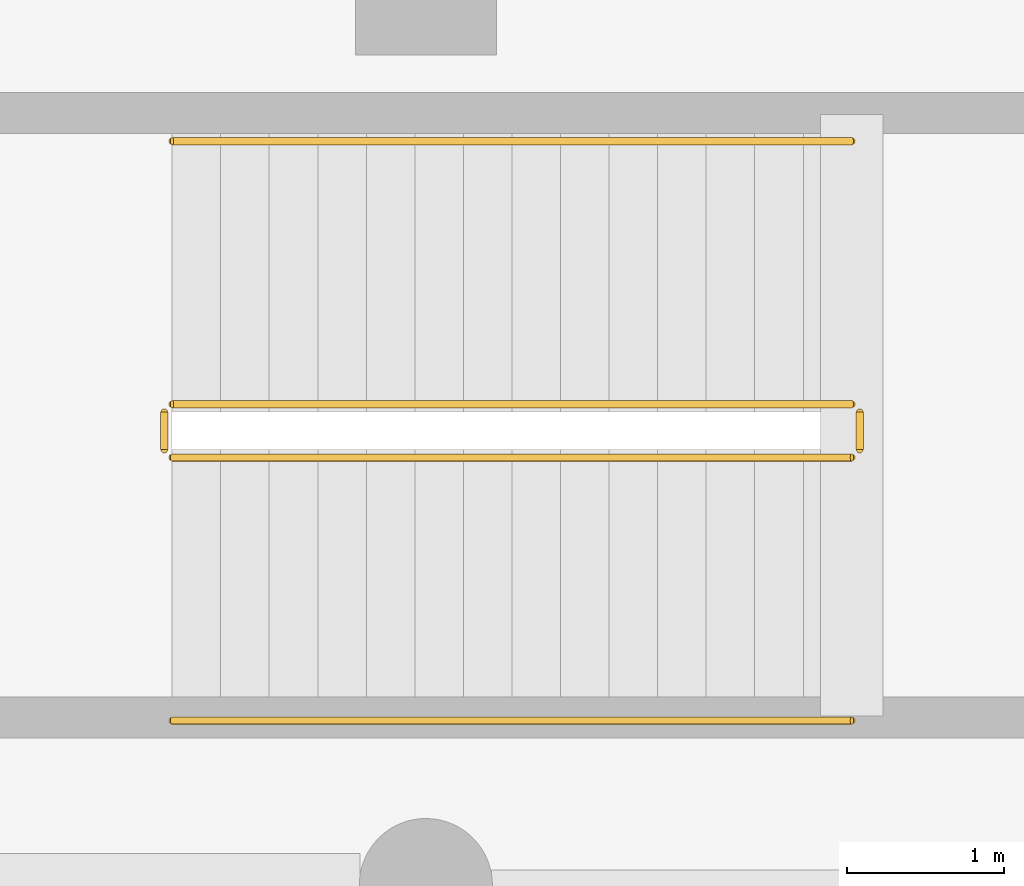
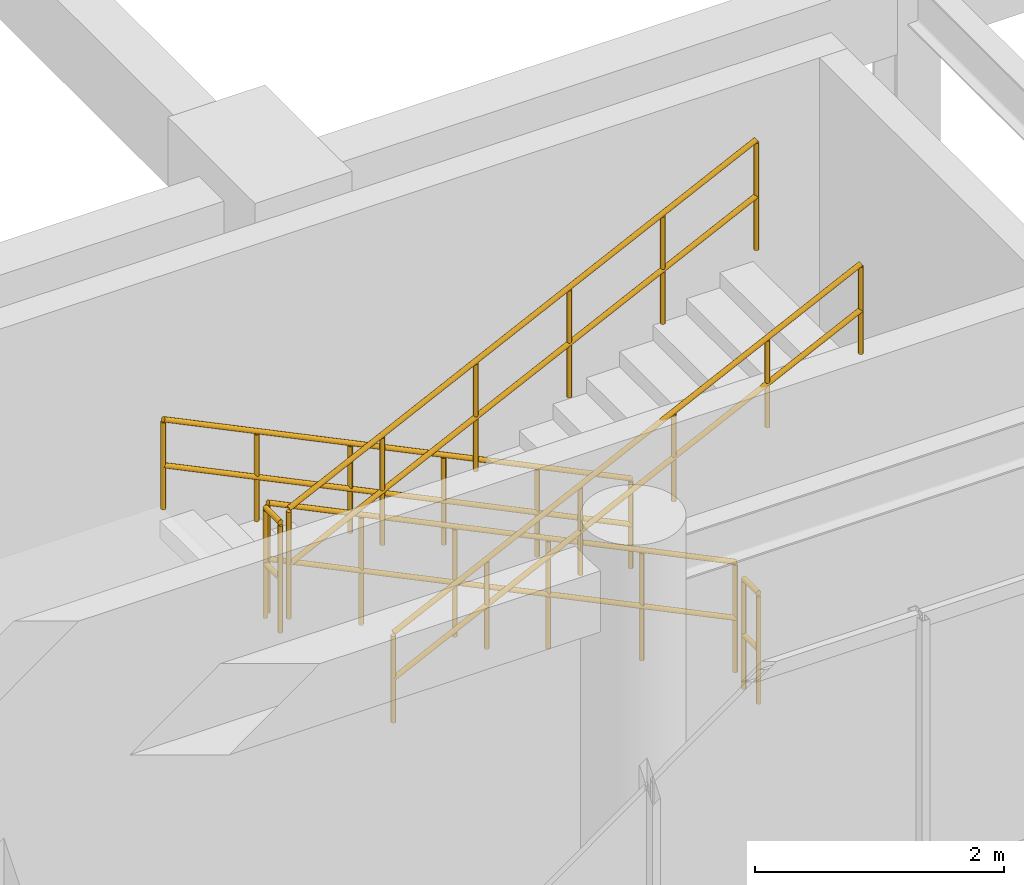
# One storey, part 124 of 133: 6 railings.
"""IFC4 building model written with IfcOpenShell, lengths in metres."""

import ifcopenshell
import ifcopenshell.guid

model = None  # the IFC model being written
_history = None  # IfcOwnerHistory: only IFC2X3 demands one
_inside = {}  # id of a spatial element -> (the spatial element, [elements in it])
_under = {}  # id of a project, library or spatial element -> (it, [spatial elements below it])
_declared = {}  # id of a project -> (the project, [libraries it declares])
_typed = {}  # id of a type object -> (the type object, [elements of that type])
_made_of = {}  # id of a material, layer set ... -> (it, [elements and type objects made of it])


def new_model(schema):
    """Start an empty IFC model of exactly this schema.

    Asked for "IFC4X3", IfcOpenShell would pick the latest addendum, in which some entities
    have other attributes; the version numbers below select the first issue.
    IFC2X3 requires an IfcOwnerHistory on every rooted entity: one is made here for all.
    """
    global model, _history
    if schema == "IFC4X3":
        model = ifcopenshell.file(schema_version=(4, 3, 0, 0))
    else:
        model = ifcopenshell.file(schema=schema)
    _inside.clear()
    _under.clear()
    _declared.clear()
    _typed.clear()
    _made_of.clear()
    _history = None
    if model.schema == "IFC2X3":
        org = make("IfcOrganization", Name="unknown")
        user = make(
            "IfcPersonAndOrganization",
            ThePerson=make("IfcPerson", FamilyName="unknown"),
            TheOrganization=org,
        )
        app = make(
            "IfcApplication",
            ApplicationDeveloper=org,
            Version="unknown",
            ApplicationFullName="unknown",
            ApplicationIdentifier="unknown",
        )
        _history = make(
            "IfcOwnerHistory",
            OwningUser=user,
            OwningApplication=app,
            ChangeAction="ADDED",
            CreationDate=0,
        )
    return model


def make(cls, **values):
    """One entity of the class cls with the attributes given. An attribute that is None is left unset."""
    return model.create_entity(
        cls, **{name: value for name, value in values.items() if value is not None}
    )


def rooted(cls, **values):
    """An entity with a GlobalId (a new one), such as an element, a storey or a relation."""
    return make(cls, GlobalId=ifcopenshell.guid.new(), OwnerHistory=_history, **values)


def si_unit(unit_type, name, prefix=None):
    """IfcSIUnit, for example si_unit("LENGTHUNIT", "METRE", prefix="MILLI")."""
    return make("IfcSIUnit", UnitType=unit_type, Prefix=prefix, Name=name)


def assignment(units):
    """IfcUnitAssignment: the units of a project."""
    return None if units is None else make("IfcUnitAssignment", Units=units)


def point(xyz):
    """IfcCartesianPoint."""
    return None if xyz is None else make("IfcCartesianPoint", Coordinates=xyz)


def direction(xyz):
    """IfcDirection."""
    return None if xyz is None else make("IfcDirection", DirectionRatios=xyz)


def frame(location, z_axis=None, x_axis=None):
    """IfcAxis2Placement3D, a coordinate frame: its origin and axes. An axis left out is left unset."""
    return make(
        "IfcAxis2Placement3D",
        Location=point(location),
        Axis=direction(z_axis),
        RefDirection=direction(x_axis),
    )


def frame_2d(location, x_axis=None):
    """IfcAxis2Placement2D, a coordinate frame in the plane: its origin and x axis."""
    return make(
        "IfcAxis2Placement2D", Location=point(location), RefDirection=direction(x_axis)
    )


def origin():
    """The frame at (0, 0, 0) with its axes left unset."""
    return frame((0.0, 0.0, 0.0))


def origin_2d():
    """The frame at (0, 0) in the plane with its x axis left unset."""
    return frame_2d((0.0, 0.0))


def place(relative_to, where):
    """IfcLocalPlacement: puts the frame where relative to a parent placement (None: the world)."""
    return make(
        "IfcLocalPlacement", PlacementRelTo=relative_to, RelativePlacement=where
    )


def context(
    kind, dimensions, precision=None, world=None, true_north=None, identifier=None
):
    """IfcGeometricRepresentationContext, for example the 3D "Model" context."""
    return make(
        "IfcGeometricRepresentationContext",
        ContextIdentifier=identifier,
        ContextType=kind,
        CoordinateSpaceDimension=dimensions,
        Precision=precision,
        WorldCoordinateSystem=world,
        TrueNorth=true_north,
    )


def subcontext(parent, identifier, kind, view, scale=None):
    """IfcGeometricRepresentationSubContext, for example "Body" below "Model"."""
    return make(
        "IfcGeometricRepresentationSubContext",
        ContextIdentifier=identifier,
        ContextType=kind,
        ParentContext=parent,
        TargetScale=scale,
        TargetView=view,
    )


def project(units=None, contexts=None):
    """IfcProject with its units and contexts."""
    return rooted(
        "IfcProject",
        Name="project",
        RepresentationContexts=contexts,
        UnitsInContext=assignment(units),
    )


def spatial(cls, under=None, at=None, **own):
    """A site, building, storey or space (cls), placed at a placement, below another one or the project."""
    s = rooted(cls, ObjectPlacement=at, **own)
    if under is not None:
        _under.setdefault(under.id(), (under, []))[1].append(s)
    return s


def profile(cls, at=None, kind="AREA", **sizes):
    """A parametric profile (cls). Its sizes go by their IFC names, for example OverallWidth=200.0."""
    return make(cls, ProfileType=kind, Position=at, **sizes)


def circle(**sizes):
    """IfcCircleProfileDef."""
    return profile("IfcCircleProfileDef", **sizes)


def extrude(swept, where, along, depth):
    """IfcExtrudedAreaSolid: the profile swept, set in the frame where, extruded along a direction by depth."""
    return make(
        "IfcExtrudedAreaSolid",
        SweptArea=swept,
        Position=where,
        ExtrudedDirection=direction(along),
        Depth=depth,
    )


def shape(context_of_items, identifier, shape_type, items):
    """IfcShapeRepresentation: the items that make up one representation, for example the "Body"."""
    return make(
        "IfcShapeRepresentation",
        ContextOfItems=context_of_items,
        RepresentationIdentifier=identifier,
        RepresentationType=shape_type,
        Items=items,
    )


def material(Name=None, Category=None):
    """IfcMaterial."""
    return make("IfcMaterial", Name=Name, Category=Category)


def made_of(thing, what):
    """Note that an element or type object is made of a material, layer set ...; save() writes the relation."""
    if what is not None:
        _made_of.setdefault(what.id(), (what, []))[1].append(thing)
    return thing


def type_object(cls, material=None, **own):
    """A type object (cls), such as IfcWallType, which elements share."""
    return made_of(rooted(cls, **own), material)


def element(
    cls,
    number,
    at=None,
    inside=None,
    cuts=None,
    type_object=None,
    material=None,
    context=None,
    identifier="Body",
    shape_type=None,
    held_by="IfcProductDefinitionShape",
    body=None,
    shapes=None,
    **own,
):
    """One element of the class cls, such as IfcWall. Its Tag is "e" and its number.

    at: its placement. inside: the storey or other place that contains it. cuts: it is an
    opening in that element (IfcRelVoidsElement). A single representation is given by context,
    identifier, shape_type and body (its items); several are given by shapes. held_by: the class
    of the entity that holds the representations. save() writes the other relations.
    """
    e = rooted(cls, Tag="e%d" % number, ObjectPlacement=at, **own)
    if body is not None:
        shapes = [shape(context, identifier, shape_type, body)]
    if shapes is not None:
        e.Representation = make(held_by, Representations=shapes)
    if inside is not None:
        _inside.setdefault(inside.id(), (inside, []))[1].append(e)
    if cuts is not None:
        rooted(
            "IfcRelVoidsElement", RelatingBuildingElement=cuts, RelatedOpeningElement=e
        )
    if type_object is not None:
        _typed.setdefault(type_object.id(), (type_object, []))[1].append(e)
    return made_of(e, material)


def aggregate(whole, parts):
    """IfcRelAggregates: a whole, such as a stair, and the parts it consists of."""
    return rooted("IfcRelAggregates", RelatingObject=whole, RelatedObjects=parts)


def save(model, path):
    """Write the relations noted so far, then the file.

    IfcRelAggregates (storeys below a building ...), IfcRelContainedInSpatialStructure (elements
    in a storey), IfcRelDefinesByType, IfcRelAssociatesMaterial and IfcRelDeclares: one each for
    every whole, place, type object, material and project.
    """
    for whole, parts in _under.values():
        aggregate(whole, parts)
    for where, things in _inside.values():
        rooted(
            "IfcRelContainedInSpatialStructure",
            RelatedElements=things,
            RelatingStructure=where,
        )
    for kind, things in _typed.values():
        rooted("IfcRelDefinesByType", RelatedObjects=things, RelatingType=kind)
    for what, things in _made_of.values():
        rooted("IfcRelAssociatesMaterial", RelatedObjects=things, RelatingMaterial=what)
    for by, libraries in _declared.values():
        rooted("IfcRelDeclares", RelatingContext=by, RelatedDefinitions=libraries)
    model.write(path)


model = new_model("IFC4")

# Units and contexts
model_context = context("Model", 3, precision=1e-05, world=origin(), true_north=direction((0.0, 1.0)))
body_context = subcontext(model_context, "Body", "Model", "MODEL_VIEW")
ifc_project = project(units=[si_unit("LENGTHUNIT", "METRE"), si_unit("AREAUNIT", "SQUARE_METRE"), si_unit("VOLUMEUNIT", "CUBIC_METRE"), si_unit("PLANEANGLEUNIT", "RADIAN"), si_unit("MASSUNIT", "GRAM", prefix="KILO"), si_unit("THERMODYNAMICTEMPERATUREUNIT", "KELVIN"), si_unit("POWERUNIT", "WATT")], contexts=[model_context])

# Site, building, storey
site_placement = place(None, origin())
site = spatial("IfcSite", under=ifc_project, at=site_placement, CompositionType="ELEMENT")
building_placement = place(site_placement, origin())
building = spatial("IfcBuilding", under=site, at=building_placement, Name="Phaisarnlok Congress Hotel", CompositionType="ELEMENT")
storey_placement = place(building_placement, frame((0.0, 0.0, 6.0)))
storey = spatial("IfcBuildingStorey", under=building, at=storey_placement, Name="L01", CompositionType="ELEMENT", Elevation=6.0)

# Railings
ifc_material_1 = material(Name="Painted Galvanised Steel S275", Category="steel")
railing_type_1 = type_object("IfcRailingType", Name="RLG-STR-GUARD", PredefinedType="BALUSTRADE", material=ifc_material_1)
railing_1_placement = place(storey_placement, frame((68.719970703125, 39.070068359375, 0.14990234375)))
element("IfcRailing", 1, at=railing_1_placement, inside=storey, type_object=railing_type_1, Name="L01 ST-12 stair guard 1", PredefinedType="BALUSTRADE", context=body_context, shape_type="SweptSolid", body=[
    extrude(circle(Radius=0.02392578125, at=origin_2d()), frame((0.0, 0.0, 1.076171875), z_axis=(-0.900154768424, 0.0, 0.435570192832), x_axis=(0.0, -1.0, 0.0)), (0.0, 0.0, 1.0), 4.821533203125),
    extrude(circle(Radius=0.02392578125, at=origin_2d()), frame((0.0, 0.0, 0.52587890625), z_axis=(-0.900154768424, 0.0, 0.435570192832), x_axis=(0.0, -1.0, 0.0)), (0.0, 0.0, 1.0), 4.821533203125),
    extrude(circle(Radius=0.02099609375, at=origin_2d()), origin(), (0.0, 0.0, 1.0), 1.052001953125),
    extrude(circle(Radius=0.02099609375, at=origin_2d()), frame((-0.867919921875, 0.0, 0.419921875)), (0.0, 0.0, 1.0), 1.052001953125),
    extrude(circle(Radius=0.02099609375, at=origin_2d()), frame((-1.736083984375, 0.0, 0.840087890625)), (0.0, 0.0, 1.0), 1.052001953125),
    extrude(circle(Radius=0.02099609375, at=origin_2d()), frame((-2.60400390625, 0.0, 1.260009765625)), (0.0, 0.0, 1.0), 1.052001953125),
    extrude(circle(Radius=0.02099609375, at=origin_2d()), frame((-3.47216796875, 0.0, 1.68017578125)), (0.0, 0.0, 1.0), 1.052001953125),
    extrude(circle(Radius=0.02099609375, at=origin_2d()), frame((-4.340087890625, 0.0, 2.10009765625)), (0.0, 0.0, 1.0), 1.052001953125),
])
railing_2_placement = place(storey_placement, frame((64.330078125, 39.02001953125, 2.25)))
element("IfcRailing", 2, at=railing_2_placement, inside=storey, type_object=railing_type_1, Name="L01 ST-12 stair guard 2", PredefinedType="BALUSTRADE", context=body_context, shape_type="SweptSolid", body=[
    extrude(circle(Radius=0.02392578125, at=origin_2d()), frame((0.0, 0.0, 1.076171875), z_axis=(0.0, -1.0, 0.0), x_axis=(1.0, 0.0, 0.0)), (0.0, 0.0, 1.0), 0.239990234375),
    extrude(circle(Radius=0.02392578125, at=origin_2d()), frame((0.0, 0.0, 0.52587890625), z_axis=(0.0, -1.0, 0.0), x_axis=(1.0, 0.0, 0.0)), (0.0, 0.0, 1.0), 0.239990234375),
    extrude(circle(Radius=0.02099609375, at=origin_2d()), origin(), (0.0, 0.0, 1.0), 1.052001953125),
    extrude(circle(Radius=0.02099609375, at=origin_2d()), frame((0.0, -0.239990234375, 0.0)), (0.0, 0.0, 1.0), 1.052001953125),
])
railing_3_placement = place(storey_placement, frame((64.3798828125, 38.72998046875, 2.39990234375)))
element("IfcRailing", 3, at=railing_3_placement, inside=storey, type_object=railing_type_1, Name="L01 ST-12 stair guard 3", PredefinedType="BALUSTRADE", context=body_context, shape_type="SweptSolid", body=[
    extrude(circle(Radius=0.02392578125, at=origin_2d()), frame((0.0, 0.0, 1.076171875), z_axis=(0.900154768424, 0.0, 0.435570192832), x_axis=(0.0, 1.0, 0.0)), (0.0, 0.0, 1.0), 4.821533203125),
    extrude(circle(Radius=0.02392578125, at=origin_2d()), frame((0.0, 0.0, 0.52587890625), z_axis=(0.900154768424, 0.0, 0.435570192832), x_axis=(0.0, 1.0, 0.0)), (0.0, 0.0, 1.0), 4.821533203125),
    extrude(circle(Radius=0.02099609375, at=origin_2d()), origin(), (0.0, 0.0, 1.0), 1.052001953125),
    extrude(circle(Radius=0.02099609375, at=origin_2d()), frame((0.867919921875, 0.0, 0.419921875)), (0.0, 0.0, 1.0), 1.052001953125),
    extrude(circle(Radius=0.02099609375, at=origin_2d()), frame((1.736083984375, 0.0, 0.840087890625)), (0.0, 0.0, 1.0), 1.052001953125),
    extrude(circle(Radius=0.02099609375, at=origin_2d()), frame((2.60400390625, 0.0, 1.260009765625)), (0.0, 0.0, 1.0), 1.052001953125),
    extrude(circle(Radius=0.02099609375, at=origin_2d()), frame((3.47216796875, 0.0, 1.68017578125)), (0.0, 0.0, 1.0), 1.052001953125),
    extrude(circle(Radius=0.02099609375, at=origin_2d()), frame((4.340087890625, 0.0, 2.10009765625)), (0.0, 0.0, 1.0), 1.052001953125),
])
railing_4_placement = place(storey_placement, frame((68.77001953125, 39.02001953125, 0.0)))
element("IfcRailing", 4, at=railing_4_placement, inside=storey, type_object=railing_type_1, Name="L01 ST-12 stair guard 4", PredefinedType="BALUSTRADE", context=body_context, shape_type="SweptSolid", body=[
    extrude(circle(Radius=0.02392578125, at=origin_2d()), frame((0.0, 0.0, 1.076171875), z_axis=(0.0, -1.0, 0.0), x_axis=(1.0, 0.0, 0.0)), (0.0, 0.0, 1.0), 0.239990234375),
    extrude(circle(Radius=0.02392578125, at=origin_2d()), frame((0.0, 0.0, 0.52587890625), z_axis=(0.0, -1.0, 0.0), x_axis=(1.0, 0.0, 0.0)), (0.0, 0.0, 1.0), 0.239990234375),
    extrude(circle(Radius=0.02099609375, at=origin_2d()), origin(), (0.0, 0.0, 1.0), 1.052001953125),
    extrude(circle(Radius=0.02099609375, at=origin_2d()), frame((0.0, -0.239990234375, 0.0)), (0.0, 0.0, 1.0), 1.052001953125),
])
ifc_material_2 = material(Name="Brushed Stainless Steel Grade 304", Category="steel")
railing_type_2 = type_object("IfcRailingType", Name="RLG-STR-HRAIL", PredefinedType="HANDRAIL", material=ifc_material_2)
railing_5_placement = place(storey_placement, frame((68.719970703125, 40.75, 0.14990234375)))
element("IfcRailing", 5, at=railing_5_placement, inside=storey, type_object=railing_type_2, Name="L01 ST-12 stair handrail 1", PredefinedType="HANDRAIL", context=body_context, shape_type="SweptSolid", body=[
    extrude(circle(Radius=0.02392578125, at=origin_2d()), frame((0.0, 0.0, 0.8759765625), z_axis=(-0.900154768424, 0.0, 0.435570192832), x_axis=(0.0, -1.0, 0.0)), (0.0, 0.0, 1.0), 4.821533203125),
    extrude(circle(Radius=0.02392578125, at=origin_2d()), frame((0.0, 0.0, 0.42578125), z_axis=(-0.900154768424, 0.0, 0.435570192832), x_axis=(0.0, -1.0, 0.0)), (0.0, 0.0, 1.0), 4.821533203125),
    extrude(circle(Radius=0.02099609375, at=origin_2d()), origin(), (0.0, 0.0, 1.0), 0.851806640625),
    extrude(circle(Radius=0.02099609375, at=origin_2d()), frame((-0.867919921875, 0.0, 0.419921875)), (0.0, 0.0, 1.0), 0.851806640625),
    extrude(circle(Radius=0.02099609375, at=origin_2d()), frame((-1.736083984375, 0.0, 0.840087890625)), (0.0, 0.0, 1.0), 0.851806640625),
    extrude(circle(Radius=0.02099609375, at=origin_2d()), frame((-2.60400390625, 0.0, 1.260009765625)), (0.0, 0.0, 1.0), 0.851806640625),
    extrude(circle(Radius=0.02099609375, at=origin_2d()), frame((-3.47216796875, 0.0, 1.68017578125)), (0.0, 0.0, 1.0), 0.851806640625),
    extrude(circle(Radius=0.02099609375, at=origin_2d()), frame((-4.340087890625, 0.0, 2.10009765625)), (0.0, 0.0, 1.0), 0.851806640625),
])
railing_6_placement = place(storey_placement, frame((64.3798828125, 37.050048828125, 2.39990234375)))
element("IfcRailing", 6, at=railing_6_placement, inside=storey, type_object=railing_type_2, Name="L01 ST-12 stair handrail 2", PredefinedType="HANDRAIL", context=body_context, shape_type="SweptSolid", body=[
    extrude(circle(Radius=0.02392578125, at=origin_2d()), frame((0.0, 0.0, 0.8759765625), z_axis=(0.900154768424, 0.0, 0.435570192832), x_axis=(0.0, 1.0, 0.0)), (0.0, 0.0, 1.0), 4.821533203125),
    extrude(circle(Radius=0.02392578125, at=origin_2d()), frame((0.0, 0.0, 0.42578125), z_axis=(0.900154768424, 0.0, 0.435570192832), x_axis=(0.0, 1.0, 0.0)), (0.0, 0.0, 1.0), 4.821533203125),
    extrude(circle(Radius=0.02099609375, at=origin_2d()), origin(), (0.0, 0.0, 1.0), 0.851806640625),
    extrude(circle(Radius=0.02099609375, at=origin_2d()), frame((0.867919921875, 0.0, 0.419921875)), (0.0, 0.0, 1.0), 0.851806640625),
    extrude(circle(Radius=0.02099609375, at=origin_2d()), frame((1.736083984375, 0.0, 0.840087890625)), (0.0, 0.0, 1.0), 0.851806640625),
    extrude(circle(Radius=0.02099609375, at=origin_2d()), frame((2.60400390625, 0.0, 1.260009765625)), (0.0, 0.0, 1.0), 0.851806640625),
    extrude(circle(Radius=0.02099609375, at=origin_2d()), frame((3.47216796875, 0.0, 1.68017578125)), (0.0, 0.0, 1.0), 0.851806640625),
    extrude(circle(Radius=0.02099609375, at=origin_2d()), frame((4.340087890625, 0.0, 2.10009765625)), (0.0, 0.0, 1.0), 0.851806640625),
])

save(model, "model.ifc")
